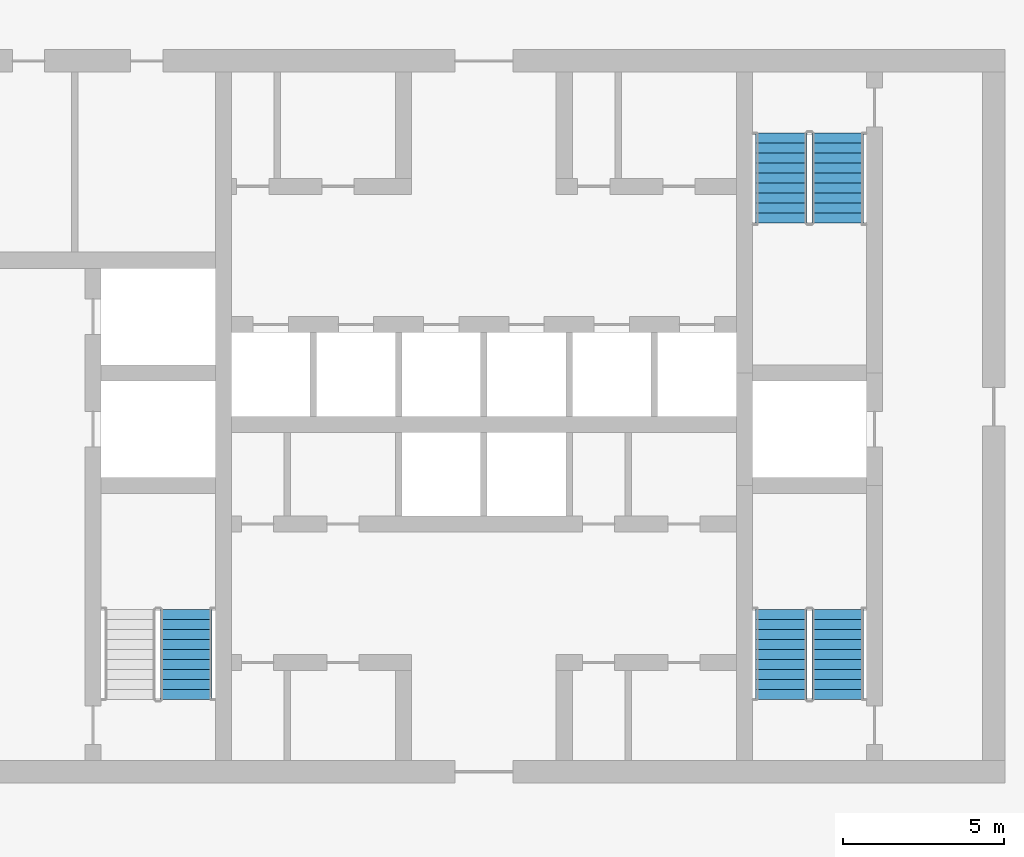
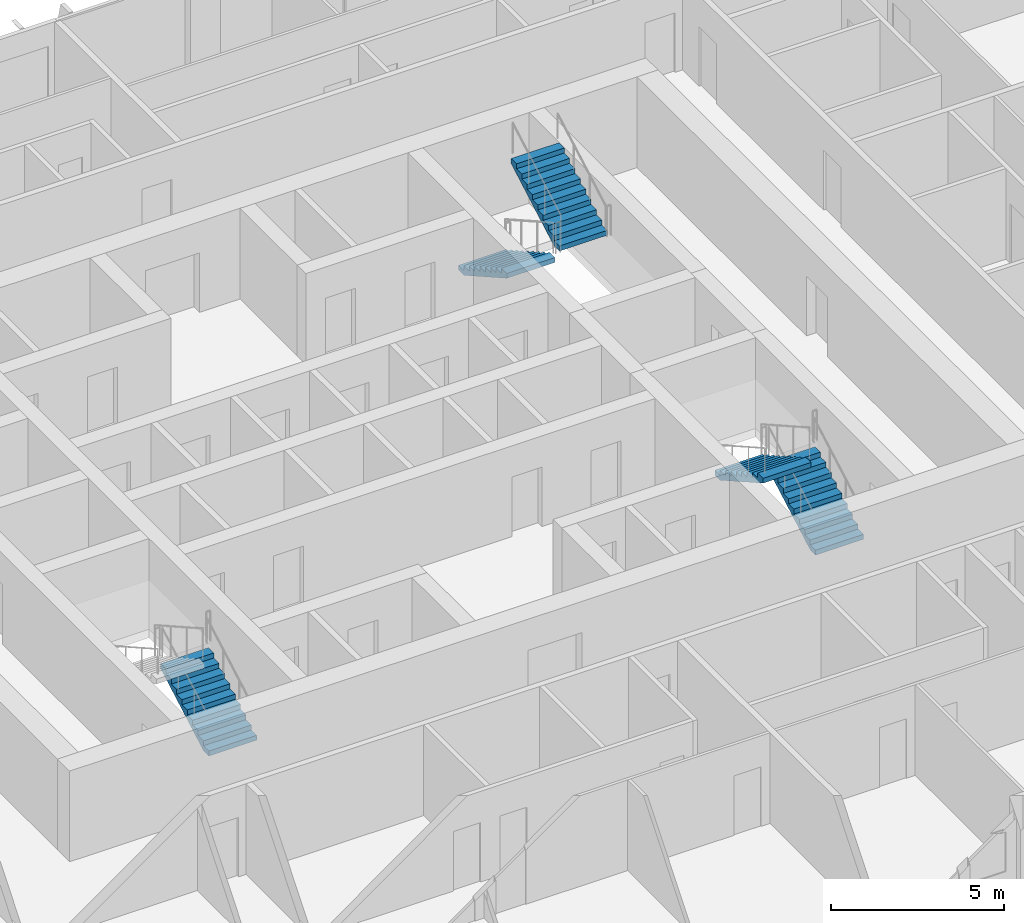
# One storey, part 16 of 22: 5 stair flights, 3 elements without a shape of their own.
"""IFC4 building model written with IfcOpenShell, lengths in metres."""

from ifc_helpers import new_model, si_unit, direction, frame, origin, place, context, subcontext, project, spatial, polyline, outline, extrude, material, type_object, element, aggregate, save


model = new_model("IFC4")

# Units and contexts
model_context = context("Model", 3, precision=1e-05, world=origin(), true_north=direction((0.0, 1.0)))
body_context = subcontext(model_context, "Body", "Model", "MODEL_VIEW")
ifc_project = project(units=[si_unit("LENGTHUNIT", "METRE"), si_unit("AREAUNIT", "SQUARE_METRE"), si_unit("VOLUMEUNIT", "CUBIC_METRE"), si_unit("PLANEANGLEUNIT", "RADIAN"), si_unit("MASSUNIT", "GRAM", prefix="KILO")], contexts=[model_context])

# Site, building, storey
site_placement = place(None, origin())
site = spatial("IfcSite", under=ifc_project, at=site_placement, CompositionType="ELEMENT")
building_placement = place(site_placement, origin())
building = spatial("IfcBuilding", under=site, at=building_placement, Name="Madar Terraces", CompositionType="ELEMENT")
storey_placement = place(building_placement, frame((0.0, 0.0, 178.89990234375)))
storey = spatial("IfcBuildingStorey", under=building, at=storey_placement, Name="L46", CompositionType="ELEMENT", Elevation=178.89990234375)

# Stair, stair flight
ifc_material_1 = material(Name="Concrete C50/60", Category="concrete")
stair_type_1 = type_object("IfcStairType", Name="Stair ST1 protected exit", PredefinedType="HALF_TURN_STAIR", material=ifc_material_1)
stair_1_placement = place(storey_placement, origin())
stair_1 = element("IfcStair", 1, at=stair_1_placement, inside=storey, type_object=stair_type_1, Name="L46 Protected Exit Stair ST1", PredefinedType="HALF_TURN_STAIR")
ifc_material_2 = material(Name="Concrete C50/60", Category="concrete")
stair_flight_type_1 = type_object("IfcStairFlightType", Name="Stair flight ST1-F4, 1600 wide, 10 risers", PredefinedType="STRAIGHT", material=ifc_material_2)
stair_flight_1_placement = place(storey_placement, frame((21.949951171875, 17.60009765625, 0.0), z_axis=(0.0, 0.0, 1.0), x_axis=(0.0, 1.0, 0.0)))
stair_flight_1 = element("IfcStairFlight", 2, at=stair_flight_1_placement, type_object=stair_flight_type_1, Name="ST1 flight 1", NumberOfRisers=10, NumberOfTreads=9, PredefinedType="STRAIGHT", RiserHeight=0.175, TreadLength=0.31, context=body_context, shape_type="SweptSolid", body=[
    extrude(outline(polyline([(0.0, 0.0), (0.0, 0.175048828125), (0.31005859375, 0.175048828125), (0.31005859375, 0.35009765625), (0.6201171875, 0.35009765625), (0.6201171875, 0.52490234375), (0.929931640625, 0.52490234375), (0.929931640625, 0.699951171875), (1.239990234375, 0.699951171875), (1.239990234375, 0.875), (1.550048828125, 0.875), (1.550048828125, 1.050048828125), (1.860107421875, 1.050048828125), (1.860107421875, 1.22509765625), (2.169921875, 1.22509765625), (2.169921875, 1.39990234375), (2.47998046875, 1.39990234375), (2.47998046875, 1.574951171875), (2.7900390625, 1.574951171875), (2.7900390625, 1.75), (2.7900390625, 1.40283203125), (0.304931640625, 0.0), (0.0, 0.0)])), frame((0.0, 0.800048828125, 0.0), z_axis=(0.0, -1.0, 0.0), x_axis=(1.0, 0.0, 0.0)), (0.0, 0.0, 1.0), 1.60009765625),
])
aggregate(stair_1, [stair_flight_1])

# Stair, stair flights
ifc_material_3 = material(Name="Concrete C50/60", Category="concrete")
stair_type_2 = type_object("IfcStairType", Name="Stair ST2 protected exit", PredefinedType="HALF_TURN_STAIR", material=ifc_material_3)
stair_2_placement = place(storey_placement, origin())
stair_2 = element("IfcStair", 3, at=stair_2_placement, inside=storey, type_object=stair_type_2, Name="L46 Protected Exit Stair ST2", PredefinedType="HALF_TURN_STAIR")
ifc_material_4 = material(Name="Concrete C50/60", Category="concrete")
stair_flight_type_2 = type_object("IfcStairFlightType", Name="Stair flight ST2-F4, 1600 wide, 10 risers", PredefinedType="STRAIGHT", material=ifc_material_4)
stair_flight_2_placement = place(storey_placement, frame((40.449951171875, 35.199951171875, 0.0), z_axis=(0.0, 0.0, 1.0), x_axis=(0.0, -1.0, 0.0)))
stair_flight_2 = element("IfcStairFlight", 4, at=stair_flight_2_placement, type_object=stair_flight_type_2, Name="ST2 flight 1", NumberOfRisers=10, NumberOfTreads=9, PredefinedType="STRAIGHT", RiserHeight=0.175, TreadLength=0.31, context=body_context, shape_type="SweptSolid", body=[
    extrude(outline(polyline([(0.0, 0.0), (0.0, 0.175048828125), (0.31005859375, 0.175048828125), (0.31005859375, 0.35009765625), (0.6201171875, 0.35009765625), (0.6201171875, 0.52490234375), (0.929931640625, 0.52490234375), (0.929931640625, 0.699951171875), (1.239990234375, 0.699951171875), (1.239990234375, 0.875), (1.550048828125, 0.875), (1.550048828125, 1.050048828125), (1.860107421875, 1.050048828125), (1.860107421875, 1.22509765625), (2.169921875, 1.22509765625), (2.169921875, 1.39990234375), (2.47998046875, 1.39990234375), (2.47998046875, 1.574951171875), (2.7900390625, 1.574951171875), (2.7900390625, 1.75), (2.7900390625, 1.40283203125), (0.304931640625, 0.0), (0.0, 0.0)])), frame((0.0, 0.800048828125, 0.0), z_axis=(0.0, -1.0, 0.0), x_axis=(1.0, 0.0, 0.0)), (0.0, 0.0, 1.0), 1.60009765625),
])
stair_flight_3_placement = place(storey_placement, frame((42.199951171875, 32.409912109375, 1.75), z_axis=(0.0, 0.0, 1.0), x_axis=(0.0, 1.0, 0.0)))
stair_flight_3 = element("IfcStairFlight", 5, at=stair_flight_3_placement, type_object=stair_flight_type_2, Name="ST2 flight 2", NumberOfRisers=10, NumberOfTreads=9, PredefinedType="STRAIGHT", RiserHeight=0.175, TreadLength=0.31, context=body_context, shape_type="SweptSolid", body=[
    extrude(outline(polyline([(0.0, 0.0), (0.0, 0.175048828125), (0.31005859375, 0.175048828125), (0.31005859375, 0.35009765625), (0.6201171875, 0.35009765625), (0.6201171875, 0.52490234375), (0.929931640625, 0.52490234375), (0.929931640625, 0.699951171875), (1.239990234375, 0.699951171875), (1.239990234375, 0.875), (1.550048828125, 0.875), (1.550048828125, 1.050048828125), (1.860107421875, 1.050048828125), (1.860107421875, 1.22509765625), (2.169921875, 1.22509765625), (2.169921875, 1.39990234375), (2.47998046875, 1.39990234375), (2.47998046875, 1.574951171875), (2.7900390625, 1.574951171875), (2.7900390625, 1.75), (2.7900390625, 1.40283203125), (0.304931640625, 0.0), (0.0, 0.0)])), frame((0.0, 0.800048828125, 0.0), z_axis=(0.0, -1.0, 0.0), x_axis=(1.0, 0.0, 0.0)), (0.0, 0.0, 1.0), 1.60009765625),
])
aggregate(stair_2, [stair_flight_2, stair_flight_3])

ifc_material_5 = material(Name="Concrete C50/60", Category="concrete")
stair_type_3 = type_object("IfcStairType", Name="Stair ST3 protected exit", PredefinedType="HALF_TURN_STAIR", material=ifc_material_5)
stair_3_placement = place(storey_placement, origin())
stair_3 = element("IfcStair", 6, at=stair_3_placement, inside=storey, type_object=stair_type_3, Name="L46 Protected Exit Stair ST3", PredefinedType="HALF_TURN_STAIR")
ifc_material_6 = material(Name="Concrete C50/60", Category="concrete")
stair_flight_type_3 = type_object("IfcStairFlightType", Name="Stair flight ST3-F4, 1600 wide, 10 risers", PredefinedType="STRAIGHT", material=ifc_material_6)
stair_flight_4_placement = place(storey_placement, frame((42.199951171875, 17.60009765625, 0.0), z_axis=(0.0, 0.0, 1.0), x_axis=(0.0, 1.0, 0.0)))
stair_flight_4 = element("IfcStairFlight", 7, at=stair_flight_4_placement, type_object=stair_flight_type_3, Name="ST3 flight 1", NumberOfRisers=10, NumberOfTreads=9, PredefinedType="STRAIGHT", RiserHeight=0.175, TreadLength=0.31, context=body_context, shape_type="SweptSolid", body=[
    extrude(outline(polyline([(0.0, 0.0), (0.0, 0.175048828125), (0.31005859375, 0.175048828125), (0.31005859375, 0.35009765625), (0.6201171875, 0.35009765625), (0.6201171875, 0.52490234375), (0.929931640625, 0.52490234375), (0.929931640625, 0.699951171875), (1.239990234375, 0.699951171875), (1.239990234375, 0.875), (1.550048828125, 0.875), (1.550048828125, 1.050048828125), (1.860107421875, 1.050048828125), (1.860107421875, 1.22509765625), (2.169921875, 1.22509765625), (2.169921875, 1.39990234375), (2.47998046875, 1.39990234375), (2.47998046875, 1.574951171875), (2.7900390625, 1.574951171875), (2.7900390625, 1.75), (2.7900390625, 1.40283203125), (0.304931640625, 0.0), (0.0, 0.0)])), frame((0.0, 0.800048828125, 0.0), z_axis=(0.0, -1.0, 0.0), x_axis=(1.0, 0.0, 0.0)), (0.0, 0.0, 1.0), 1.60009765625),
])
stair_flight_5_placement = place(storey_placement, frame((40.449951171875, 20.389892578125, 1.75), z_axis=(0.0, 0.0, 1.0), x_axis=(0.0, -1.0, 0.0)))
stair_flight_5 = element("IfcStairFlight", 8, at=stair_flight_5_placement, type_object=stair_flight_type_3, Name="ST3 flight 2", NumberOfRisers=10, NumberOfTreads=9, PredefinedType="STRAIGHT", RiserHeight=0.175, TreadLength=0.31, context=body_context, shape_type="SweptSolid", body=[
    extrude(outline(polyline([(0.0, 0.0), (0.0, 0.175048828125), (0.31005859375, 0.175048828125), (0.31005859375, 0.35009765625), (0.6201171875, 0.35009765625), (0.6201171875, 0.52490234375), (0.929931640625, 0.52490234375), (0.929931640625, 0.699951171875), (1.239990234375, 0.699951171875), (1.239990234375, 0.875), (1.550048828125, 0.875), (1.550048828125, 1.050048828125), (1.860107421875, 1.050048828125), (1.860107421875, 1.22509765625), (2.169921875, 1.22509765625), (2.169921875, 1.39990234375), (2.47998046875, 1.39990234375), (2.47998046875, 1.574951171875), (2.7900390625, 1.574951171875), (2.7900390625, 1.75), (2.7900390625, 1.40283203125), (0.304931640625, 0.0), (0.0, 0.0)])), frame((0.0, 0.800048828125, 0.0), z_axis=(0.0, -1.0, 0.0), x_axis=(1.0, 0.0, 0.0)), (0.0, 0.0, 1.0), 1.60009765625),
])
aggregate(stair_3, [stair_flight_4, stair_flight_5])

save(model, "model.ifc")
